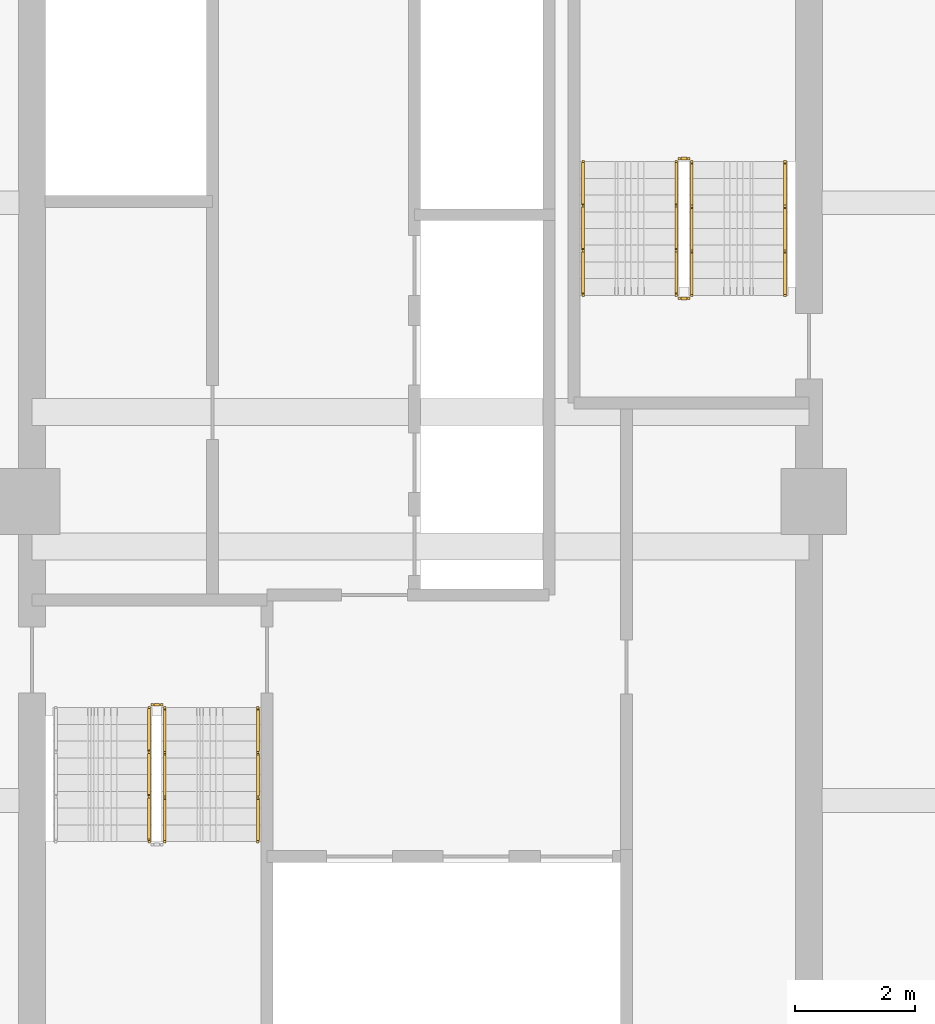
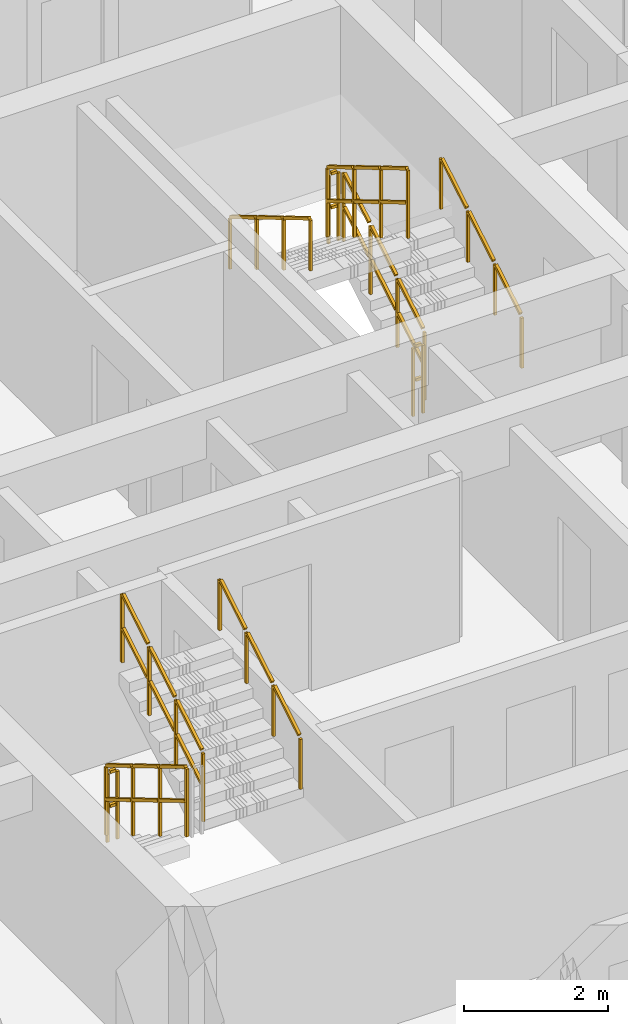
# One storey, part 13 of 15: 10 railings.
"""IFC4 building model written with IfcOpenShell, lengths in metres."""

import ifcopenshell
import ifcopenshell.guid

model = None  # the IFC model being written
_history = None  # IfcOwnerHistory: only IFC2X3 demands one
_inside = {}  # id of a spatial element -> (the spatial element, [elements in it])
_under = {}  # id of a project, library or spatial element -> (it, [spatial elements below it])
_declared = {}  # id of a project -> (the project, [libraries it declares])
_typed = {}  # id of a type object -> (the type object, [elements of that type])
_made_of = {}  # id of a material, layer set ... -> (it, [elements and type objects made of it])


def new_model(schema):
    """Start an empty IFC model of exactly this schema.

    Asked for "IFC4X3", IfcOpenShell would pick the latest addendum, in which some entities
    have other attributes; the version numbers below select the first issue.
    IFC2X3 requires an IfcOwnerHistory on every rooted entity: one is made here for all.
    """
    global model, _history
    if schema == "IFC4X3":
        model = ifcopenshell.file(schema_version=(4, 3, 0, 0))
    else:
        model = ifcopenshell.file(schema=schema)
    _inside.clear()
    _under.clear()
    _declared.clear()
    _typed.clear()
    _made_of.clear()
    _history = None
    if model.schema == "IFC2X3":
        org = make("IfcOrganization", Name="unknown")
        user = make(
            "IfcPersonAndOrganization",
            ThePerson=make("IfcPerson", FamilyName="unknown"),
            TheOrganization=org,
        )
        app = make(
            "IfcApplication",
            ApplicationDeveloper=org,
            Version="unknown",
            ApplicationFullName="unknown",
            ApplicationIdentifier="unknown",
        )
        _history = make(
            "IfcOwnerHistory",
            OwningUser=user,
            OwningApplication=app,
            ChangeAction="ADDED",
            CreationDate=0,
        )
    return model


def make(cls, **values):
    """One entity of the class cls with the attributes given. An attribute that is None is left unset."""
    return model.create_entity(
        cls, **{name: value for name, value in values.items() if value is not None}
    )


def rooted(cls, **values):
    """An entity with a GlobalId (a new one), such as an element, a storey or a relation."""
    return make(cls, GlobalId=ifcopenshell.guid.new(), OwnerHistory=_history, **values)


def si_unit(unit_type, name, prefix=None):
    """IfcSIUnit, for example si_unit("LENGTHUNIT", "METRE", prefix="MILLI")."""
    return make("IfcSIUnit", UnitType=unit_type, Prefix=prefix, Name=name)


def assignment(units):
    """IfcUnitAssignment: the units of a project."""
    return None if units is None else make("IfcUnitAssignment", Units=units)


def point(xyz):
    """IfcCartesianPoint."""
    return None if xyz is None else make("IfcCartesianPoint", Coordinates=xyz)


def direction(xyz):
    """IfcDirection."""
    return None if xyz is None else make("IfcDirection", DirectionRatios=xyz)


def frame(location, z_axis=None, x_axis=None):
    """IfcAxis2Placement3D, a coordinate frame: its origin and axes. An axis left out is left unset."""
    return make(
        "IfcAxis2Placement3D",
        Location=point(location),
        Axis=direction(z_axis),
        RefDirection=direction(x_axis),
    )


def frame_2d(location, x_axis=None):
    """IfcAxis2Placement2D, a coordinate frame in the plane: its origin and x axis."""
    return make(
        "IfcAxis2Placement2D", Location=point(location), RefDirection=direction(x_axis)
    )


def origin():
    """The frame at (0, 0, 0) with its axes left unset."""
    return frame((0.0, 0.0, 0.0))


def origin_2d():
    """The frame at (0, 0) in the plane with its x axis left unset."""
    return frame_2d((0.0, 0.0))


def place(relative_to, where):
    """IfcLocalPlacement: puts the frame where relative to a parent placement (None: the world)."""
    return make(
        "IfcLocalPlacement", PlacementRelTo=relative_to, RelativePlacement=where
    )


def context(
    kind, dimensions, precision=None, world=None, true_north=None, identifier=None
):
    """IfcGeometricRepresentationContext, for example the 3D "Model" context."""
    return make(
        "IfcGeometricRepresentationContext",
        ContextIdentifier=identifier,
        ContextType=kind,
        CoordinateSpaceDimension=dimensions,
        Precision=precision,
        WorldCoordinateSystem=world,
        TrueNorth=true_north,
    )


def subcontext(parent, identifier, kind, view, scale=None):
    """IfcGeometricRepresentationSubContext, for example "Body" below "Model"."""
    return make(
        "IfcGeometricRepresentationSubContext",
        ContextIdentifier=identifier,
        ContextType=kind,
        ParentContext=parent,
        TargetScale=scale,
        TargetView=view,
    )


def project(units=None, contexts=None):
    """IfcProject with its units and contexts."""
    return rooted(
        "IfcProject",
        Name="project",
        RepresentationContexts=contexts,
        UnitsInContext=assignment(units),
    )


def spatial(cls, under=None, at=None, **own):
    """A site, building, storey or space (cls), placed at a placement, below another one or the project."""
    s = rooted(cls, ObjectPlacement=at, **own)
    if under is not None:
        _under.setdefault(under.id(), (under, []))[1].append(s)
    return s


def profile(cls, at=None, kind="AREA", **sizes):
    """A parametric profile (cls). Its sizes go by their IFC names, for example OverallWidth=200.0."""
    return make(cls, ProfileType=kind, Position=at, **sizes)


def rectangle(**sizes):
    """IfcRectangleProfileDef."""
    return profile("IfcRectangleProfileDef", **sizes)


def extrude(swept, where, along, depth):
    """IfcExtrudedAreaSolid: the profile swept, set in the frame where, extruded along a direction by depth."""
    return make(
        "IfcExtrudedAreaSolid",
        SweptArea=swept,
        Position=where,
        ExtrudedDirection=direction(along),
        Depth=depth,
    )


def shape(context_of_items, identifier, shape_type, items):
    """IfcShapeRepresentation: the items that make up one representation, for example the "Body"."""
    return make(
        "IfcShapeRepresentation",
        ContextOfItems=context_of_items,
        RepresentationIdentifier=identifier,
        RepresentationType=shape_type,
        Items=items,
    )


def material(Name=None, Category=None):
    """IfcMaterial."""
    return make("IfcMaterial", Name=Name, Category=Category)


def made_of(thing, what):
    """Note that an element or type object is made of a material, layer set ...; save() writes the relation."""
    if what is not None:
        _made_of.setdefault(what.id(), (what, []))[1].append(thing)
    return thing


def type_object(cls, material=None, **own):
    """A type object (cls), such as IfcWallType, which elements share."""
    return made_of(rooted(cls, **own), material)


def element(
    cls,
    number,
    at=None,
    inside=None,
    cuts=None,
    type_object=None,
    material=None,
    context=None,
    identifier="Body",
    shape_type=None,
    held_by="IfcProductDefinitionShape",
    body=None,
    shapes=None,
    **own,
):
    """One element of the class cls, such as IfcWall. Its Tag is "e" and its number.

    at: its placement. inside: the storey or other place that contains it. cuts: it is an
    opening in that element (IfcRelVoidsElement). A single representation is given by context,
    identifier, shape_type and body (its items); several are given by shapes. held_by: the class
    of the entity that holds the representations. save() writes the other relations.
    """
    e = rooted(cls, Tag="e%d" % number, ObjectPlacement=at, **own)
    if body is not None:
        shapes = [shape(context, identifier, shape_type, body)]
    if shapes is not None:
        e.Representation = make(held_by, Representations=shapes)
    if inside is not None:
        _inside.setdefault(inside.id(), (inside, []))[1].append(e)
    if cuts is not None:
        rooted(
            "IfcRelVoidsElement", RelatingBuildingElement=cuts, RelatedOpeningElement=e
        )
    if type_object is not None:
        _typed.setdefault(type_object.id(), (type_object, []))[1].append(e)
    return made_of(e, material)


def aggregate(whole, parts):
    """IfcRelAggregates: a whole, such as a stair, and the parts it consists of."""
    return rooted("IfcRelAggregates", RelatingObject=whole, RelatedObjects=parts)


def save(model, path):
    """Write the relations noted so far, then the file.

    IfcRelAggregates (storeys below a building ...), IfcRelContainedInSpatialStructure (elements
    in a storey), IfcRelDefinesByType, IfcRelAssociatesMaterial and IfcRelDeclares: one each for
    every whole, place, type object, material and project.
    """
    for whole, parts in _under.values():
        aggregate(whole, parts)
    for where, things in _inside.values():
        rooted(
            "IfcRelContainedInSpatialStructure",
            RelatedElements=things,
            RelatingStructure=where,
        )
    for kind, things in _typed.values():
        rooted("IfcRelDefinesByType", RelatedObjects=things, RelatingType=kind)
    for what, things in _made_of.values():
        rooted("IfcRelAssociatesMaterial", RelatedObjects=things, RelatingMaterial=what)
    for by, libraries in _declared.values():
        rooted("IfcRelDeclares", RelatingContext=by, RelatedDefinitions=libraries)
    model.write(path)


model = new_model("IFC4")

# Units and contexts
model_context = context("Model", 3, precision=1e-05, world=origin(), true_north=direction((0.0, 1.0)))
body_context = subcontext(model_context, "Body", "Model", "MODEL_VIEW")
ifc_project = project(units=[si_unit("LENGTHUNIT", "METRE"), si_unit("AREAUNIT", "SQUARE_METRE"), si_unit("VOLUMEUNIT", "CUBIC_METRE"), si_unit("PLANEANGLEUNIT", "RADIAN"), si_unit("MASSUNIT", "GRAM", prefix="KILO")], contexts=[model_context])

# Site, building, storey
site_placement = place(None, origin())
site = spatial("IfcSite", under=ifc_project, at=site_placement, CompositionType="ELEMENT")
building_placement = place(site_placement, origin())
building = spatial("IfcBuilding", under=site, at=building_placement, Name="Saelheon Loggia Tower", CompositionType="ELEMENT")
storey_placement = place(building_placement, frame((0.0, 0.0, 163.0)))
storey = spatial("IfcBuildingStorey", under=building, at=storey_placement, Name="L51", CompositionType="ELEMENT", Elevation=163.0)

# Railings
ifc_material_1 = material(Name="Galvanised Steel S275 Stairwell Guardrail", Category="steel")
railing_type_1 = type_object("IfcRailingType", Name="Guard_StairWell_RL_STG", PredefinedType="GUARDRAIL", material=ifc_material_1)
railing_1_placement = place(storey_placement, frame((33.4599609375, 23.550048828125, 0.166748046875)))
element("IfcRailing", 1, at=railing_1_placement, inside=storey, type_object=railing_type_1, Name="L51 ST1 stair guard 1", PredefinedType="GUARDRAIL", context=body_context, shape_type="SweptSolid", body=[
    extrude(rectangle(XDim=0.048095703125, YDim=0.048095703125, at=origin_2d()), frame((0.0, -0.028564453125, 1.19287109375), z_axis=(0.0, -0.859305625298, 0.511462454469), x_axis=(1.0, 0.0, 0.0)), (0.0, 0.0, 1.0), 0.802490234375),
    extrude(rectangle(XDim=0.048095703125, YDim=0.048095703125, at=origin_2d()), frame((0.0, -0.028564453125, 0.616943359375), z_axis=(0.0, -0.859305625298, 0.511462454469), x_axis=(1.0, 0.0, 0.0)), (0.0, 0.0, 1.0), 0.802490234375),
    extrude(rectangle(XDim=0.048095703125, YDim=0.048095703125, at=origin_2d()), frame((0.0, -0.775146484375, 1.63720703125), z_axis=(0.0, -0.859305625298, 0.511462454469), x_axis=(1.0, 0.0, 0.0)), (0.0, 0.0, 1.0), 0.802490234375),
    extrude(rectangle(XDim=0.048095703125, YDim=0.048095703125, at=origin_2d()), frame((0.0, -0.775146484375, 1.061279296875), z_axis=(0.0, -0.859305625298, 0.511462454469), x_axis=(1.0, 0.0, 0.0)), (0.0, 0.0, 1.0), 0.802490234375),
    extrude(rectangle(XDim=0.048095703125, YDim=0.048095703125, at=origin_2d()), frame((0.0, -1.52197265625, 2.081787109375), z_axis=(0.0, -0.859305625298, 0.511462454469), x_axis=(1.0, 0.0, 0.0)), (0.0, 0.0, 1.0), 0.802490234375),
    extrude(rectangle(XDim=0.048095703125, YDim=0.048095703125, at=origin_2d()), frame((0.0, -1.52197265625, 1.505859375), z_axis=(0.0, -0.859305625298, 0.511462454469), x_axis=(1.0, 0.0, 0.0)), (0.0, 0.0, 1.0), 0.802490234375),
    extrude(rectangle(XDim=0.0419921875, YDim=0.0419921875, at=origin_2d()), origin(), (0.0, 0.0, 1.0), 1.14794921875),
    extrude(rectangle(XDim=0.0419921875, YDim=0.0419921875, at=origin_2d()), frame((0.0, -0.74658203125, 0.4443359375)), (0.0, 0.0, 1.0), 1.14794921875),
    extrude(rectangle(XDim=0.0419921875, YDim=0.0419921875, at=origin_2d()), frame((0.0, -1.493408203125, 0.888916015625)), (0.0, 0.0, 1.0), 1.14794921875),
    extrude(rectangle(XDim=0.0419921875, YDim=0.0419921875, at=origin_2d()), frame((0.0, -2.239990234375, 1.333251953125)), (0.0, 0.0, 1.0), 1.14794921875),
])
railing_2_placement = place(storey_placement, frame((33.719970703125, 21.31005859375, 1.666748046875)))
element("IfcRailing", 2, at=railing_2_placement, inside=storey, type_object=railing_type_1, Name="L51 ST1 stair guard 3", PredefinedType="GUARDRAIL", context=body_context, shape_type="SweptSolid", body=[
    extrude(rectangle(XDim=0.048095703125, YDim=0.048095703125, at=origin_2d()), frame((0.0, 0.028564453125, 1.19287109375), z_axis=(0.0, 0.859305625298, 0.511462454469), x_axis=(-1.0, 0.0, 0.0)), (0.0, 0.0, 1.0), 0.802490234375),
    extrude(rectangle(XDim=0.048095703125, YDim=0.048095703125, at=origin_2d()), frame((0.0, 0.028564453125, 0.616943359375), z_axis=(0.0, 0.859305625298, 0.511462454469), x_axis=(-1.0, 0.0, 0.0)), (0.0, 0.0, 1.0), 0.802490234375),
    extrude(rectangle(XDim=0.048095703125, YDim=0.048095703125, at=origin_2d()), frame((0.0, 0.775146484375, 1.63720703125), z_axis=(0.0, 0.859305625298, 0.511462454469), x_axis=(-1.0, 0.0, 0.0)), (0.0, 0.0, 1.0), 0.802490234375),
    extrude(rectangle(XDim=0.048095703125, YDim=0.048095703125, at=origin_2d()), frame((0.0, 0.775146484375, 1.061279296875), z_axis=(0.0, 0.859305625298, 0.511462454469), x_axis=(-1.0, 0.0, 0.0)), (0.0, 0.0, 1.0), 0.802490234375),
    extrude(rectangle(XDim=0.048095703125, YDim=0.048095703125, at=origin_2d()), frame((0.0, 1.52197265625, 2.081787109375), z_axis=(0.0, 0.859305625298, 0.511462454469), x_axis=(-1.0, 0.0, 0.0)), (0.0, 0.0, 1.0), 0.802490234375),
    extrude(rectangle(XDim=0.048095703125, YDim=0.048095703125, at=origin_2d()), frame((0.0, 1.52197265625, 1.505859375), z_axis=(0.0, 0.859305625298, 0.511462454469), x_axis=(-1.0, 0.0, 0.0)), (0.0, 0.0, 1.0), 0.802490234375),
    extrude(rectangle(XDim=0.0419921875, YDim=0.0419921875, at=origin_2d()), origin(), (0.0, 0.0, 1.0), 1.14794921875),
    extrude(rectangle(XDim=0.0419921875, YDim=0.0419921875, at=origin_2d()), frame((0.0, 0.74658203125, 0.4443359375)), (0.0, 0.0, 1.0), 1.14794921875),
    extrude(rectangle(XDim=0.0419921875, YDim=0.0419921875, at=origin_2d()), frame((0.0, 1.493408203125, 0.888916015625)), (0.0, 0.0, 1.0), 1.14794921875),
    extrude(rectangle(XDim=0.0419921875, YDim=0.0419921875, at=origin_2d()), frame((0.0, 2.239990234375, 1.333251953125)), (0.0, 0.0, 1.0), 1.14794921875),
])
railing_3_placement = place(storey_placement, frame((33.510009765625, 23.60009765625, 0.0)))
element("IfcRailing", 3, at=railing_3_placement, inside=storey, type_object=railing_type_1, Name="L51 ST1 stair guard 4", PredefinedType="GUARDRAIL", context=body_context, shape_type="SweptSolid", body=[
    extrude(rectangle(XDim=0.048095703125, YDim=0.048095703125, at=origin_2d()), frame((0.033203125, 0.0, 1.17578125), z_axis=(1.0, 0.0, 0.0), x_axis=(0.0, 1.0, 0.0)), (0.0, 0.0, 1.0), 0.093505859375),
    extrude(rectangle(XDim=0.048095703125, YDim=0.048095703125, at=origin_2d()), frame((0.033203125, 0.0, 0.60009765625), z_axis=(1.0, 0.0, 0.0), x_axis=(0.0, 1.0, 0.0)), (0.0, 0.0, 1.0), 0.093505859375),
    extrude(rectangle(XDim=0.0419921875, YDim=0.0419921875, at=origin_2d()), origin(), (0.0, 0.0, 1.0), 1.14794921875),
    extrude(rectangle(XDim=0.0419921875, YDim=0.0419921875, at=origin_2d()), frame((0.159912109375, 0.0, 0.0)), (0.0, 0.0, 1.0), 1.14794921875),
])
railing_4_placement = place(storey_placement, frame((42.5400390625, 30.449951171875, 0.166748046875)))
element("IfcRailing", 4, at=railing_4_placement, inside=storey, type_object=railing_type_1, Name="L51 ST2 stair guard 1", PredefinedType="GUARDRAIL", context=body_context, shape_type="SweptSolid", body=[
    extrude(rectangle(XDim=0.048095703125, YDim=0.048095703125, at=origin_2d()), frame((0.0, 0.028564453125, 1.19287109375), z_axis=(0.0, 0.859305625298, 0.511462454469), x_axis=(-1.0, 0.0, 0.0)), (0.0, 0.0, 1.0), 0.802490234375),
    extrude(rectangle(XDim=0.048095703125, YDim=0.048095703125, at=origin_2d()), frame((0.0, 0.028564453125, 0.616943359375), z_axis=(0.0, 0.859305625298, 0.511462454469), x_axis=(-1.0, 0.0, 0.0)), (0.0, 0.0, 1.0), 0.802490234375),
    extrude(rectangle(XDim=0.048095703125, YDim=0.048095703125, at=origin_2d()), frame((0.0, 0.775146484375, 1.63720703125), z_axis=(0.0, 0.859305625298, 0.511462454469), x_axis=(-1.0, 0.0, 0.0)), (0.0, 0.0, 1.0), 0.802490234375),
    extrude(rectangle(XDim=0.048095703125, YDim=0.048095703125, at=origin_2d()), frame((0.0, 0.775146484375, 1.061279296875), z_axis=(0.0, 0.859305625298, 0.511462454469), x_axis=(-1.0, 0.0, 0.0)), (0.0, 0.0, 1.0), 0.802490234375),
    extrude(rectangle(XDim=0.048095703125, YDim=0.048095703125, at=origin_2d()), frame((0.0, 1.52197265625, 2.081787109375), z_axis=(0.0, 0.859305625298, 0.511462454469), x_axis=(-1.0, 0.0, 0.0)), (0.0, 0.0, 1.0), 0.802490234375),
    extrude(rectangle(XDim=0.048095703125, YDim=0.048095703125, at=origin_2d()), frame((0.0, 1.52197265625, 1.505859375), z_axis=(0.0, 0.859305625298, 0.511462454469), x_axis=(-1.0, 0.0, 0.0)), (0.0, 0.0, 1.0), 0.802490234375),
    extrude(rectangle(XDim=0.0419921875, YDim=0.0419921875, at=origin_2d()), origin(), (0.0, 0.0, 1.0), 1.14794921875),
    extrude(rectangle(XDim=0.0419921875, YDim=0.0419921875, at=origin_2d()), frame((0.0, 0.74658203125, 0.4443359375)), (0.0, 0.0, 1.0), 1.14794921875),
    extrude(rectangle(XDim=0.0419921875, YDim=0.0419921875, at=origin_2d()), frame((0.0, 1.493408203125, 0.888916015625)), (0.0, 0.0, 1.0), 1.14794921875),
    extrude(rectangle(XDim=0.0419921875, YDim=0.0419921875, at=origin_2d()), frame((0.0, 2.239990234375, 1.333251953125)), (0.0, 0.0, 1.0), 1.14794921875),
])
railing_5_placement = place(storey_placement, frame((42.489990234375, 32.739990234375, 1.5)))
element("IfcRailing", 5, at=railing_5_placement, inside=storey, type_object=railing_type_1, Name="L51 ST2 stair guard 2", PredefinedType="GUARDRAIL", context=body_context, shape_type="SweptSolid", body=[
    extrude(rectangle(XDim=0.048095703125, YDim=0.048095703125, at=origin_2d()), frame((-0.033203125, 0.0, 1.17578125), z_axis=(-1.0, 0.0, 0.0), x_axis=(0.0, -1.0, 0.0)), (0.0, 0.0, 1.0), 0.093505859375),
    extrude(rectangle(XDim=0.048095703125, YDim=0.048095703125, at=origin_2d()), frame((-0.033203125, 0.0, 0.60009765625), z_axis=(-1.0, 0.0, 0.0), x_axis=(0.0, -1.0, 0.0)), (0.0, 0.0, 1.0), 0.093505859375),
    extrude(rectangle(XDim=0.0419921875, YDim=0.0419921875, at=origin_2d()), origin(), (0.0, 0.0, 1.0), 1.14794921875),
    extrude(rectangle(XDim=0.0419921875, YDim=0.0419921875, at=origin_2d()), frame((-0.159912109375, 0.0, 0.0)), (0.0, 0.0, 1.0), 1.14794921875),
])
railing_6_placement = place(storey_placement, frame((42.280029296875, 32.68994140625, 1.666748046875)))
element("IfcRailing", 6, at=railing_6_placement, inside=storey, type_object=railing_type_1, Name="L51 ST2 stair guard 3", PredefinedType="GUARDRAIL", context=body_context, shape_type="SweptSolid", body=[
    extrude(rectangle(XDim=0.048095703125, YDim=0.048095703125, at=origin_2d()), frame((0.0, -0.028564453125, 1.19287109375), z_axis=(0.0, -0.859305625298, 0.511462454469), x_axis=(1.0, 0.0, 0.0)), (0.0, 0.0, 1.0), 0.802490234375),
    extrude(rectangle(XDim=0.048095703125, YDim=0.048095703125, at=origin_2d()), frame((0.0, -0.028564453125, 0.616943359375), z_axis=(0.0, -0.859305625298, 0.511462454469), x_axis=(1.0, 0.0, 0.0)), (0.0, 0.0, 1.0), 0.802490234375),
    extrude(rectangle(XDim=0.048095703125, YDim=0.048095703125, at=origin_2d()), frame((0.0, -0.775146484375, 1.63720703125), z_axis=(0.0, -0.859305625298, 0.511462454469), x_axis=(1.0, 0.0, 0.0)), (0.0, 0.0, 1.0), 0.802490234375),
    extrude(rectangle(XDim=0.048095703125, YDim=0.048095703125, at=origin_2d()), frame((0.0, -0.775146484375, 1.061279296875), z_axis=(0.0, -0.859305625298, 0.511462454469), x_axis=(1.0, 0.0, 0.0)), (0.0, 0.0, 1.0), 0.802490234375),
    extrude(rectangle(XDim=0.048095703125, YDim=0.048095703125, at=origin_2d()), frame((0.0, -1.52197265625, 2.081787109375), z_axis=(0.0, -0.859305625298, 0.511462454469), x_axis=(1.0, 0.0, 0.0)), (0.0, 0.0, 1.0), 0.802490234375),
    extrude(rectangle(XDim=0.048095703125, YDim=0.048095703125, at=origin_2d()), frame((0.0, -1.52197265625, 1.505859375), z_axis=(0.0, -0.859305625298, 0.511462454469), x_axis=(1.0, 0.0, 0.0)), (0.0, 0.0, 1.0), 0.802490234375),
    extrude(rectangle(XDim=0.0419921875, YDim=0.0419921875, at=origin_2d()), origin(), (0.0, 0.0, 1.0), 1.14794921875),
    extrude(rectangle(XDim=0.0419921875, YDim=0.0419921875, at=origin_2d()), frame((0.0, -0.74658203125, 0.4443359375)), (0.0, 0.0, 1.0), 1.14794921875),
    extrude(rectangle(XDim=0.0419921875, YDim=0.0419921875, at=origin_2d()), frame((0.0, -1.493408203125, 0.888916015625)), (0.0, 0.0, 1.0), 1.14794921875),
    extrude(rectangle(XDim=0.0419921875, YDim=0.0419921875, at=origin_2d()), frame((0.0, -2.239990234375, 1.333251953125)), (0.0, 0.0, 1.0), 1.14794921875),
])
railing_7_placement = place(storey_placement, frame((42.489990234375, 30.39990234375, 0.0)))
element("IfcRailing", 7, at=railing_7_placement, inside=storey, type_object=railing_type_1, Name="L51 ST2 stair guard 4", PredefinedType="GUARDRAIL", context=body_context, shape_type="SweptSolid", body=[
    extrude(rectangle(XDim=0.048095703125, YDim=0.048095703125, at=origin_2d()), frame((-0.033203125, 0.0, 1.17578125), z_axis=(-1.0, 0.0, 0.0), x_axis=(0.0, -1.0, 0.0)), (0.0, 0.0, 1.0), 0.093505859375),
    extrude(rectangle(XDim=0.048095703125, YDim=0.048095703125, at=origin_2d()), frame((-0.033203125, 0.0, 0.60009765625), z_axis=(-1.0, 0.0, 0.0), x_axis=(0.0, -1.0, 0.0)), (0.0, 0.0, 1.0), 0.093505859375),
    extrude(rectangle(XDim=0.0419921875, YDim=0.0419921875, at=origin_2d()), origin(), (0.0, 0.0, 1.0), 1.14794921875),
    extrude(rectangle(XDim=0.0419921875, YDim=0.0419921875, at=origin_2d()), frame((-0.159912109375, 0.0, 0.0)), (0.0, 0.0, 1.0), 1.14794921875),
])
ifc_material_2 = material(Name="Stainless Steel 304 Tubular Handrail", Category="steel")
railing_type_2 = type_object("IfcRailingType", Name="Handrail_Stair_RL_HR1", PredefinedType="HANDRAIL", material=ifc_material_2)
for number, where, name in (
    (8, (35.280029296875, 21.31005859375, 1.666748046875), "L51 ST1 stair handrail 2"),
    (9, (44.10009765625, 30.449951171875, 0.166748046875), "L51 ST2 stair handrail 1"),
):
    element("IfcRailing", number, at=place(storey_placement, frame(where)), inside=storey, type_object=railing_type_2, Name=name, PredefinedType="HANDRAIL", context=body_context, shape_type="SweptSolid", body=[
        extrude(rectangle(XDim=0.048095703125, YDim=0.048095703125, at=origin_2d()), frame((0.0, 0.028564453125, 0.892822265625), z_axis=(0.0, 0.859305625298, 0.511462454469), x_axis=(-1.0, 0.0, 0.0)), (0.0, 0.0, 1.0), 0.802490234375),
        extrude(rectangle(XDim=0.048095703125, YDim=0.048095703125, at=origin_2d()), frame((0.0, 0.775146484375, 1.337158203125), z_axis=(0.0, 0.859305625298, 0.511462454469), x_axis=(-1.0, 0.0, 0.0)), (0.0, 0.0, 1.0), 0.802490234375),
        extrude(rectangle(XDim=0.048095703125, YDim=0.048095703125, at=origin_2d()), frame((0.0, 1.52197265625, 1.78173828125), z_axis=(0.0, 0.859305625298, 0.511462454469), x_axis=(-1.0, 0.0, 0.0)), (0.0, 0.0, 1.0), 0.802490234375),
        extrude(rectangle(XDim=0.0419921875, YDim=0.0419921875, at=origin_2d()), origin(), (0.0, 0.0, 1.0), 0.847900390625),
        extrude(rectangle(XDim=0.0419921875, YDim=0.0419921875, at=origin_2d()), frame((0.0, 0.74658203125, 0.4443359375)), (0.0, 0.0, 1.0), 0.847900390625),
        extrude(rectangle(XDim=0.0419921875, YDim=0.0419921875, at=origin_2d()), frame((0.0, 1.493408203125, 0.888916015625)), (0.0, 0.0, 1.0), 0.847900390625),
        extrude(rectangle(XDim=0.0419921875, YDim=0.0419921875, at=origin_2d()), frame((0.0, 2.239990234375, 1.333251953125)), (0.0, 0.0, 1.0), 0.847900390625),
    ])
railing_8_placement = place(storey_placement, frame((40.719970703125, 32.68994140625, 1.666748046875)))
element("IfcRailing", 10, at=railing_8_placement, inside=storey, type_object=railing_type_2, Name="L51 ST2 stair handrail 2", PredefinedType="HANDRAIL", context=body_context, shape_type="SweptSolid", body=[
    extrude(rectangle(XDim=0.048095703125, YDim=0.048095703125, at=origin_2d()), frame((0.0, -0.028564453125, 0.892822265625), z_axis=(0.0, -0.859305625298, 0.511462454469), x_axis=(1.0, 0.0, 0.0)), (0.0, 0.0, 1.0), 0.802490234375),
    extrude(rectangle(XDim=0.048095703125, YDim=0.048095703125, at=origin_2d()), frame((0.0, -0.775146484375, 1.337158203125), z_axis=(0.0, -0.859305625298, 0.511462454469), x_axis=(1.0, 0.0, 0.0)), (0.0, 0.0, 1.0), 0.802490234375),
    extrude(rectangle(XDim=0.048095703125, YDim=0.048095703125, at=origin_2d()), frame((0.0, -1.52197265625, 1.78173828125), z_axis=(0.0, -0.859305625298, 0.511462454469), x_axis=(1.0, 0.0, 0.0)), (0.0, 0.0, 1.0), 0.802490234375),
    extrude(rectangle(XDim=0.0419921875, YDim=0.0419921875, at=origin_2d()), origin(), (0.0, 0.0, 1.0), 0.847900390625),
    extrude(rectangle(XDim=0.0419921875, YDim=0.0419921875, at=origin_2d()), frame((0.0, -0.74658203125, 0.4443359375)), (0.0, 0.0, 1.0), 0.847900390625),
    extrude(rectangle(XDim=0.0419921875, YDim=0.0419921875, at=origin_2d()), frame((0.0, -1.493408203125, 0.888916015625)), (0.0, 0.0, 1.0), 0.847900390625),
    extrude(rectangle(XDim=0.0419921875, YDim=0.0419921875, at=origin_2d()), frame((0.0, -2.239990234375, 1.333251953125)), (0.0, 0.0, 1.0), 0.847900390625),
])

save(model, "model.ifc")
